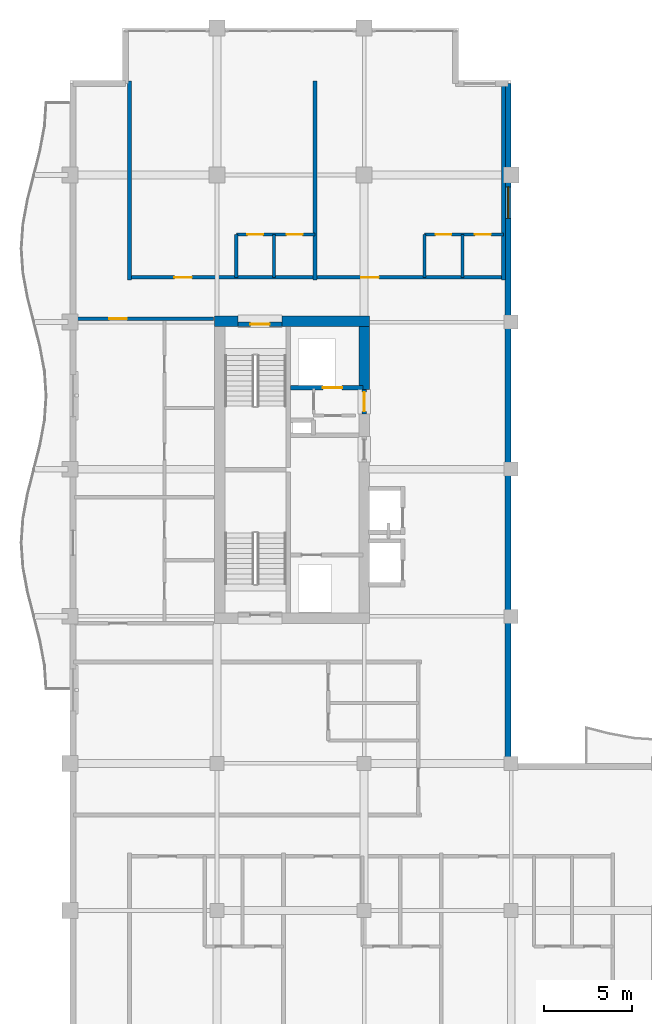
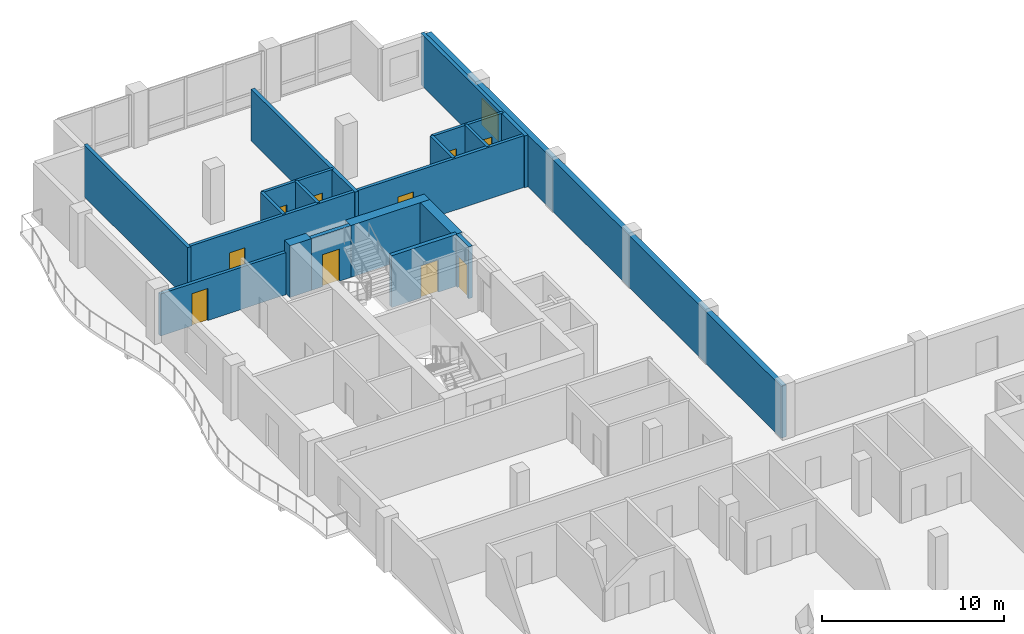
# One storey, part 10 of 17: 18 walls, 10 doors, 1 window, 11 openings.
"""IFC4 building model written with IfcOpenShell, lengths in metres."""

from ifc_helpers import new_model, si_unit, direction, frame, frame_2d, origin, place, context, subcontext, project, spatial, rectangle, extrude, material, layer, layer_set, type_object, element, fill, save


model = new_model("IFC4")

# Units and contexts
model_context = context("Model", 3, precision=1e-05, world=origin(), true_north=direction((0.0, 1.0)))
body_context = subcontext(model_context, "Body", "Model", "MODEL_VIEW")
ifc_project = project(units=[si_unit("LENGTHUNIT", "METRE"), si_unit("AREAUNIT", "SQUARE_METRE"), si_unit("VOLUMEUNIT", "CUBIC_METRE"), si_unit("PLANEANGLEUNIT", "RADIAN"), si_unit("MASSUNIT", "GRAM", prefix="KILO")], contexts=[model_context])

# Site, building, storey
site_placement = place(None, origin())
site = spatial("IfcSite", under=ifc_project, at=site_placement, CompositionType="ELEMENT")
building_placement = place(site_placement, origin())
building = spatial("IfcBuilding", under=site, at=building_placement, Name="Koriwani Terraces Tower", CompositionType="ELEMENT")
storey_placement = place(building_placement, frame((0.0, 0.0, 237.89990234375)))
storey = spatial("IfcBuildingStorey", under=building, at=storey_placement, Name="L58", CompositionType="ELEMENT", Elevation=237.89990234375)

# Walls
ifc_material_1 = material(Name="Concrete C60/75", Category="concrete")
ifc_layer_1 = layer(ifc_material_1, 0.60009765625, Name="Concrete C60/75")
ifc_layer_set_1 = layer_set([ifc_layer_1], Name="Concrete C60/75")
wall_type_1 = type_object("IfcWallType", Name="WALL_CORE_RC_600", PredefinedType="SHEAR", material=ifc_layer_set_1)
wall_1_placement = place(storey_placement, frame((16.64990234375, 58.85009765625, 0.0), z_axis=(0.0, 0.0, 1.0), x_axis=(1.0, 0.0, 0.0)))
element("IfcWall", 1, at=wall_1_placement, inside=storey, type_object=wall_type_1, Name="L58 West Split Core Shear Wall N1", PredefinedType="SHEAR", context=body_context, shape_type="SweptSolid", body=[
    extrude(rectangle(XDim=1.35009765625, YDim=0.60009765625, at=frame_2d((0.675048828125, 0.0))), origin(), (0.0, 0.0, 1.0), 3.47021484375),
])
wall_2_placement = place(storey_placement, frame((20.5, 58.85009765625, 0.0), z_axis=(0.0, 0.0, 1.0), x_axis=(1.0, 0.0, 0.0)))
element("IfcWall", 2, at=wall_2_placement, inside=storey, type_object=wall_type_1, Name="L58 West Split Core Shear Wall N2", PredefinedType="SHEAR", context=body_context, shape_type="SweptSolid", body=[
    extrude(rectangle(XDim=5.0, YDim=0.60009765625, at=frame_2d((2.5, 0.0))), origin(), (0.0, 0.0, 1.0), 3.47021484375),
])
wall_3_placement = place(storey_placement, frame((25.199951171875, 54.949951171875, 0.0), z_axis=(0.0, 0.0, 1.0), x_axis=(0.0, 1.0, 0.0)))
element("IfcWall", 3, at=wall_3_placement, inside=storey, type_object=wall_type_1, Name="L58 West Split Core Shear Wall E3", PredefinedType="SHEAR", context=body_context, shape_type="SweptSolid", body=[
    extrude(rectangle(XDim=3.60009765625, YDim=0.60009765625, at=frame_2d((1.800048828125, 0.0))), origin(), (0.0, 0.0, 1.0), 3.47021484375),
])

# Wall, opening, door
ifc_material_2 = material(Name="Autoclaved Cellular Concrete Blockwork", Category="masonry")
ifc_layer_2 = layer(ifc_material_2, 0.199951171875, Name="Autoclaved Cellular Concrete Blockwork")
ifc_layer_set_2 = layer_set([ifc_layer_2], Name="Autoclaved Cellular Concrete Blockwork")
wall_type_2 = type_object("IfcWallType", Name="WALL_CORRIDOR_200", PredefinedType="PARTITIONING", material=ifc_layer_set_2)
wall_4_placement = place(storey_placement, frame((8.64990234375, 59.0, 0.0), z_axis=(0.0, 0.0, 1.0), x_axis=(1.0, 0.0, 0.0)))
wall_4 = element("IfcWall", 4, at=wall_4_placement, inside=storey, type_object=wall_type_2, Name="L58 Interior Wall WRZ4-WN-L58", PredefinedType="PARTITIONING", context=body_context, shape_type="SweptSolid", body=[
    extrude(rectangle(XDim=7.9501953125, YDim=0.199951171875, at=frame_2d((3.97509765625, 0.0))), origin(), (0.0, 0.0, 1.0), 2.820068359375),
])
opening_1_placement = place(wall_4_placement, frame((2.0, 0.0, 0.0)))
opening_1 = element("IfcOpeningElement", 5, at=opening_1_placement, cuts=wall_4, Name="Opening D-05", PredefinedType="OPENING", context=body_context, shape_type="SweptSolid", body=[
    extrude(rectangle(XDim=1.0, YDim=2.14990234375, at=frame_2d((0.5, 1.074951171875))), frame((0.0, 0.10986328125, 0.0), z_axis=(0.0, -1.0, 0.0), x_axis=(1.0, 0.0, 0.0)), (0.0, 0.0, 1.0), 0.219970703125),
])
ifc_material_3 = material(Name="Architectural Oak Fire Door", Category="wood")
door_type_1 = type_object("IfcDoorType", Name="DOOR_SUITE_ENTRY_1000X2150", OperationType="NOTDEFINED", PredefinedType="DOOR", material=ifc_material_3)
door_1_placement = place(opening_1_placement, origin())
door_1 = element("IfcDoor", 6, at=door_1_placement, inside=storey, type_object=door_type_1, Name="Apartment 58RW2 Entrance Door", OperationType="SINGLE_SWING_LEFT", OverallHeight=2.14990234375, OverallWidth=1.0, PredefinedType="DOOR", context=body_context, shape_type="SweptSolid", body=[
    extrude(rectangle(XDim=1.0, YDim=2.14990234375, at=frame_2d((0.5, 1.074951171875))), frame((0.0, 0.02490234375, 0.0), z_axis=(0.0, -1.0, 0.0), x_axis=(1.0, 0.0, 0.0)), (0.0, 0.0, 1.0), 0.050048828125),
])
fill(opening_1, door_1)

# Wall, openings, doors
wall_5_placement = place(storey_placement, frame((11.800048828125, 61.35009765625, 0.0), z_axis=(0.0, 0.0, 1.0), x_axis=(1.0, 0.0, 0.0)))
wall_5 = element("IfcWall", 7, at=wall_5_placement, inside=storey, type_object=wall_type_2, Name="L58 Interior Wall WRCOR-L58-NTS-0", PredefinedType="PARTITIONING", context=body_context, shape_type="SweptSolid", body=[
    extrude(rectangle(XDim=21.349853515625, YDim=0.199951171875, at=frame_2d((10.6748046875, 0.0))), origin(), (0.0, 0.0, 1.0), 3.47021484375),
])
opening_2_placement = place(wall_5_placement, frame((2.570068359375, 0.0, 0.0)))
opening_2 = element("IfcOpeningElement", 8, at=opening_2_placement, cuts=wall_5, Name="Opening D-05", PredefinedType="OPENING", context=body_context, shape_type="SweptSolid", body=[
    extrude(rectangle(XDim=1.0, YDim=2.14990234375, at=frame_2d((0.5, 1.074951171875))), frame((0.0, 0.10986328125, 0.0), z_axis=(0.0, -1.0, 0.0), x_axis=(1.0, 0.0, 0.0)), (0.0, 0.0, 1.0), 0.219970703125),
])
opening_3_placement = place(wall_5_placement, frame((13.2451171875, 0.0, 0.0)))
opening_3 = element("IfcOpeningElement", 9, at=opening_3_placement, cuts=wall_5, Name="Opening D-05", PredefinedType="OPENING", context=body_context, shape_type="SweptSolid", body=[
    extrude(rectangle(XDim=1.0, YDim=2.14990234375, at=frame_2d((0.5, 1.074951171875))), frame((0.0, 0.10986328125, 0.0), z_axis=(0.0, -1.0, 0.0), x_axis=(1.0, 0.0, 0.0)), (0.0, 0.0, 1.0), 0.219970703125),
])
door_2_placement = place(opening_2_placement, origin())
door_2 = element("IfcDoor", 10, at=door_2_placement, inside=storey, type_object=door_type_1, Name="Apartment 58NTS1 Entrance Door", OperationType="SINGLE_SWING_RIGHT", OverallHeight=2.14990234375, OverallWidth=1.0, PredefinedType="DOOR", context=body_context, shape_type="SweptSolid", body=[
    extrude(rectangle(XDim=1.0, YDim=2.14990234375, at=frame_2d((0.5, 1.074951171875))), frame((0.0, 0.02490234375, 0.0), z_axis=(0.0, -1.0, 0.0), x_axis=(1.0, 0.0, 0.0)), (0.0, 0.0, 1.0), 0.050048828125),
])
fill(opening_2, door_2)
door_3_placement = place(opening_3_placement, origin())
door_3 = element("IfcDoor", 11, at=door_3_placement, inside=storey, type_object=door_type_1, Name="Apartment 58NTS2 Entrance Door", OperationType="SINGLE_SWING_LEFT", OverallHeight=2.14990234375, OverallWidth=1.0, PredefinedType="DOOR", context=body_context, shape_type="SweptSolid", body=[
    extrude(rectangle(XDim=1.0, YDim=2.14990234375, at=frame_2d((0.5, 1.074951171875))), frame((0.0, 0.02490234375, 0.0), z_axis=(0.0, -1.0, 0.0), x_axis=(1.0, 0.0, 0.0)), (0.0, 0.0, 1.0), 0.050048828125),
])
fill(opening_3, door_3)

# Walls
ifc_layer_3 = layer(ifc_material_2, 0.219970703125, Name="Autoclaved Cellular Concrete Blockwork")
ifc_layer_set_3 = layer_set([ifc_layer_3], Name="Autoclaved Cellular Concrete Blockwork")
wall_type_3 = type_object("IfcWallType", Name="WALL_DEMISING_220", PredefinedType="PARTITIONING", material=ifc_layer_set_3)
for number, where, z_axis, x_axis, name in (
    (12, (11.800048828125, 61.199951171875, 0.0), (0.0, 0.0, 1.0), (0.0, 1.0, 0.0), "L58 Interior Wall WRDEM-L58-NTS-0"),
    (13, (22.39990234375, 61.199951171875, 0.0), (0.0, 0.0, 1.0), (0.0, 1.0, 0.0), "L58 Interior Wall WRDEM-L58-NTS-1"),
    (14, (33.14990234375, 61.199951171875, 0.0), (0.0, 0.0, 1.0), (0.0, 1.0, 0.0), "L58 Interior Wall WRDEME-L58-NTS"),
):
    element("IfcWall", number, at=place(storey_placement, frame(where, z_axis=z_axis, x_axis=x_axis)), inside=storey, type_object=wall_type_3, Name=name, PredefinedType="PARTITIONING", context=body_context, shape_type="SweptSolid", body=[
        extrude(rectangle(XDim=11.380126953125, YDim=0.219970703125, at=frame_2d((5.68994140625, 0.0))), origin(), (0.0, 0.0, 1.0), 3.47021484375),
    ])

# Wall, opening, window
ifc_material_4 = material(Name="Concrete C50/60", Category="concrete")
ifc_layer_4 = layer(ifc_material_4, 0.35009765625, Name="Concrete C50/60")
ifc_layer_set_4 = layer_set([ifc_layer_4], Name="Concrete C50/60")
wall_type_4 = type_object("IfcWallType", Name="WALL_EXT_BRUTALIST_350", PredefinedType="STANDARD", material=ifc_layer_set_4)
wall_6_placement = place(storey_placement, frame((33.425048828125, 72.425048828125, 0.0), z_axis=(0.0, 0.0, 1.0), x_axis=(0.0, -1.0, 0.0)))
wall_6 = element("IfcWall", 15, at=wall_6_placement, inside=storey, type_object=wall_type_4, Name="L58 Fair-Faced Brutalist Exterior Wall (NW_IN)", PredefinedType="STANDARD", context=body_context, shape_type="SweptSolid", body=[
    extrude(rectangle(XDim=39.0, YDim=0.35009765625, at=frame_2d((19.5, 0.0))), origin(), (0.0, 0.0, 1.0), 3.47021484375),
])
opening_4_placement = place(wall_6_placement, frame((5.89990234375, 0.0, 0.85009765625)))
opening_4 = element("IfcOpeningElement", 16, at=opening_4_placement, cuts=wall_6, Name="Opening W-04", PredefinedType="OPENING", context=body_context, shape_type="SweptSolid", body=[
    extrude(rectangle(XDim=1.800048828125, YDim=1.800048828125, at=frame_2d((0.89990234375, 0.89990234375))), frame((0.0, 0.18505859375, 0.0), z_axis=(0.0, -1.0, 0.0), x_axis=(1.0, 0.0, 0.0)), (0.0, 0.0, 1.0), 0.3701171875),
])
ifc_material_5 = material(Name="Tempered Laminated Low-E Glass", Category="glass")
window_type = type_object("IfcWindowType", Name="WIN_RES_BED_1800X1800", PartitioningType="DOUBLE_PANEL_VERTICAL", PredefinedType="WINDOW", material=ifc_material_5)
window_placement = place(opening_4_placement, origin())
window = element("IfcWindow", 17, at=window_placement, inside=storey, type_object=window_type, Name="L58 Exterior Window (NW_IN-R48)", OverallHeight=1.800048828125, OverallWidth=1.800048828125, PartitioningType="SINGLE_PANEL", PredefinedType="WINDOW", context=body_context, shape_type="SweptSolid", body=[
    extrude(rectangle(XDim=1.800048828125, YDim=1.800048828125, at=frame_2d((0.89990234375, 0.89990234375))), frame((0.0, 0.030029296875, 0.0), z_axis=(0.0, -1.0, 0.0), x_axis=(1.0, 0.0, 0.0)), (0.0, 0.0, 1.0), 0.06005859375),
])
fill(opening_4, window)

# Wall, openings, doors
ifc_material_6 = material(Name="Fire-Rated Acoustic Gypsum Partition", Category="masonry")
ifc_layer_5 = layer(ifc_material_6, 0.179931640625, Name="Fire-Rated Acoustic Gypsum Partition")
ifc_layer_set_5 = layer_set([ifc_layer_5], Name="Fire-Rated Acoustic Gypsum Partition")
wall_type_5 = type_object("IfcWallType", Name="WALL_PLUMBING_180", PredefinedType="PLUMBINGWALL", material=ifc_layer_set_5)
wall_7_placement = place(storey_placement, frame((17.89990234375, 63.800048828125, 0.0), z_axis=(0.0, 0.0, 1.0), x_axis=(1.0, 0.0, 0.0)))
wall_7 = element("IfcWall", 18, at=wall_7_placement, inside=storey, type_object=wall_type_5, Name="L58 Interior Wall WRSVC-L58-NTS-0", PredefinedType="PLUMBINGWALL", context=body_context, shape_type="SweptSolid", body=[
    extrude(rectangle(XDim=4.5, YDim=0.179931640625, at=frame_2d((2.25, 0.0))), origin(), (0.0, 0.0, 1.0), 3.47021484375),
])
opening_5_placement = place(wall_7_placement, frame((0.6298828125, 0.0, 0.0)))
opening_5 = element("IfcOpeningElement", 19, at=opening_5_placement, cuts=wall_7, Name="Opening D-07", PredefinedType="OPENING", context=body_context, shape_type="SweptSolid", body=[
    extrude(rectangle(XDim=0.89990234375, YDim=2.10009765625, at=frame_2d((0.449951171875, 1.050048828125))), frame((0.0, 0.10009765625, 0.0), z_axis=(0.0, -1.0, 0.0), x_axis=(1.0, 0.0, 0.0)), (0.0, 0.0, 1.0), 0.199951171875),
])
opening_6_placement = place(wall_7_placement, frame((2.8701171875, 0.0, 0.0)))
opening_6 = element("IfcOpeningElement", 20, at=opening_6_placement, cuts=wall_7, Name="Opening D-06", PredefinedType="OPENING", context=body_context, shape_type="SweptSolid", body=[
    extrude(rectangle(XDim=0.919921875, YDim=2.10009765625, at=frame_2d((0.4599609375, 1.050048828125))), frame((0.0, 0.10009765625, 0.0), z_axis=(0.0, -1.0, 0.0), x_axis=(1.0, 0.0, 0.0)), (0.0, 0.0, 1.0), 0.199951171875),
])
door_type_2 = type_object("IfcDoorType", Name="DOOR_BATH_INT_900X2100", OperationType="NOTDEFINED", PredefinedType="DOOR", material=ifc_material_3)
door_4_placement = place(opening_5_placement, origin())
door_4 = element("IfcDoor", 21, at=door_4_placement, inside=storey, type_object=door_type_2, Name="Apartment 58NTS1 Bathroom Door", OperationType="SINGLE_SWING_LEFT", OverallHeight=2.10009765625, OverallWidth=0.89990234375, PredefinedType="DOOR", context=body_context, shape_type="SweptSolid", body=[
    extrude(rectangle(XDim=0.89990234375, YDim=2.10009765625, at=frame_2d((0.449951171875, 1.050048828125))), frame((0.0, 0.02490234375, 0.0), z_axis=(0.0, -1.0, 0.0), x_axis=(1.0, 0.0, 0.0)), (0.0, 0.0, 1.0), 0.050048828125),
])
fill(opening_5, door_4)
door_type_3 = type_object("IfcDoorType", Name="DOOR_ROOM_INT_920X2100", OperationType="NOTDEFINED", PredefinedType="DOOR", material=ifc_material_3)
door_5_placement = place(opening_6_placement, origin())
door_5 = element("IfcDoor", 22, at=door_5_placement, inside=storey, type_object=door_type_3, Name="Apartment 58NTS1 Kitchen Door", OperationType="SINGLE_SWING_RIGHT", OverallHeight=2.10009765625, OverallWidth=0.919921875, PredefinedType="DOOR", context=body_context, shape_type="SweptSolid", body=[
    extrude(rectangle(XDim=0.919921875, YDim=2.10009765625, at=frame_2d((0.4599609375, 1.050048828125))), frame((0.0, 0.02490234375, 0.0), z_axis=(0.0, -1.0, 0.0), x_axis=(1.0, 0.0, 0.0)), (0.0, 0.0, 1.0), 0.050048828125),
])
fill(opening_6, door_5)

# Walls
for number, where, z_axis, x_axis, name in (
    (23, (17.89990234375, 61.35009765625, 0.0), (0.0, 0.0, 1.0), (0.0, 1.0, 0.0), "L58 Interior Wall WRSVCS-L58-NTS-0"),
    (24, (20.06005859375, 61.35009765625, 0.0), (0.0, 0.0, 1.0), (0.0, 1.0, 0.0), "L58 Interior Wall WRSVCM-L58-NTS-0"),
):
    element("IfcWall", number, at=place(storey_placement, frame(where, z_axis=z_axis, x_axis=x_axis)), inside=storey, type_object=wall_type_5, Name=name, PredefinedType="PLUMBINGWALL", context=body_context, shape_type="SweptSolid", body=[
        extrude(rectangle(XDim=2.449951171875, YDim=0.179931640625, at=frame_2d((1.22509765625, 0.0))), origin(), (0.0, 0.0, 1.0), 3.47021484375),
    ])

# Wall, openings, doors
wall_8_placement = place(storey_placement, frame((28.64990234375, 63.800048828125, 0.0), z_axis=(0.0, 0.0, 1.0), x_axis=(1.0, 0.0, 0.0)))
wall_8 = element("IfcWall", 25, at=wall_8_placement, inside=storey, type_object=wall_type_5, Name="L58 Interior Wall WRSVC-L58-NTS-1", PredefinedType="PLUMBINGWALL", context=body_context, shape_type="SweptSolid", body=[
    extrude(rectangle(XDim=4.5, YDim=0.179931640625, at=frame_2d((2.25, 0.0))), origin(), (0.0, 0.0, 1.0), 3.47021484375),
])
opening_7_placement = place(wall_8_placement, frame((0.6298828125, 0.0, 0.0)))
opening_7 = element("IfcOpeningElement", 26, at=opening_7_placement, cuts=wall_8, Name="Opening D-07", PredefinedType="OPENING", context=body_context, shape_type="SweptSolid", body=[
    extrude(rectangle(XDim=0.89990234375, YDim=2.10009765625, at=frame_2d((0.449951171875, 1.050048828125))), frame((0.0, 0.10009765625, 0.0), z_axis=(0.0, -1.0, 0.0), x_axis=(1.0, 0.0, 0.0)), (0.0, 0.0, 1.0), 0.199951171875),
])
opening_8_placement = place(wall_8_placement, frame((2.8701171875, 0.0, 0.0)))
opening_8 = element("IfcOpeningElement", 27, at=opening_8_placement, cuts=wall_8, Name="Opening D-06", PredefinedType="OPENING", context=body_context, shape_type="SweptSolid", body=[
    extrude(rectangle(XDim=0.919921875, YDim=2.10009765625, at=frame_2d((0.4599609375, 1.050048828125))), frame((0.0, 0.10009765625, 0.0), z_axis=(0.0, -1.0, 0.0), x_axis=(1.0, 0.0, 0.0)), (0.0, 0.0, 1.0), 0.199951171875),
])
door_6_placement = place(opening_7_placement, origin())
door_6 = element("IfcDoor", 28, at=door_6_placement, inside=storey, type_object=door_type_2, Name="Apartment 58NTS2 Bathroom Door", OperationType="SINGLE_SWING_RIGHT", OverallHeight=2.10009765625, OverallWidth=0.89990234375, PredefinedType="DOOR", context=body_context, shape_type="SweptSolid", body=[
    extrude(rectangle(XDim=0.89990234375, YDim=2.10009765625, at=frame_2d((0.449951171875, 1.050048828125))), frame((0.0, 0.02490234375, 0.0), z_axis=(0.0, -1.0, 0.0), x_axis=(1.0, 0.0, 0.0)), (0.0, 0.0, 1.0), 0.050048828125),
])
fill(opening_7, door_6)
door_7_placement = place(opening_8_placement, origin())
door_7 = element("IfcDoor", 29, at=door_7_placement, inside=storey, type_object=door_type_3, Name="Apartment 58NTS2 Kitchen Door", OperationType="SINGLE_SWING_LEFT", OverallHeight=2.10009765625, OverallWidth=0.919921875, PredefinedType="DOOR", context=body_context, shape_type="SweptSolid", body=[
    extrude(rectangle(XDim=0.919921875, YDim=2.10009765625, at=frame_2d((0.4599609375, 1.050048828125))), frame((0.0, 0.02490234375, 0.0), z_axis=(0.0, -1.0, 0.0), x_axis=(1.0, 0.0, 0.0)), (0.0, 0.0, 1.0), 0.050048828125),
])
fill(opening_8, door_7)

# Walls
for number, where, z_axis, x_axis, name in (
    (30, (28.64990234375, 61.35009765625, 0.0), (0.0, 0.0, 1.0), (0.0, 1.0, 0.0), "L58 Interior Wall WRSVCS-L58-NTS-1"),
    (31, (30.81005859375, 61.35009765625, 0.0), (0.0, 0.0, 1.0), (0.0, 1.0, 0.0), "L58 Interior Wall WRSVCM-L58-NTS-1"),
):
    element("IfcWall", number, at=place(storey_placement, frame(where, z_axis=z_axis, x_axis=x_axis)), inside=storey, type_object=wall_type_5, Name=name, PredefinedType="PLUMBINGWALL", context=body_context, shape_type="SweptSolid", body=[
        extrude(rectangle(XDim=2.449951171875, YDim=0.179931640625, at=frame_2d((1.22509765625, 0.0))), origin(), (0.0, 0.0, 1.0), 3.47021484375),
    ])

# Wall, opening, door
ifc_material_7 = material(Name="Concrete C40/50", Category="concrete")
ifc_layer_6 = layer(ifc_material_7, 0.25, Name="Concrete C40/50")
ifc_layer_set_6 = layer_set([ifc_layer_6], Name="Concrete C40/50")
wall_type_6 = type_object("IfcWallType", Name="WALL_SHAFT_RATED_250", PredefinedType="SOLIDWALL", material=ifc_layer_set_6)
wall_9_placement = place(storey_placement, frame((18.0, 58.675048828125, 0.0), z_axis=(0.0, 0.0, 1.0), x_axis=(1.0, 0.0, 0.0)))
wall_9 = element("IfcWall", 32, at=wall_9_placement, inside=storey, type_object=wall_type_6, Name="L58 Interior Wall WIN-CW-L58-STN", PredefinedType="SOLIDWALL", context=body_context, shape_type="SweptSolid", body=[
    extrude(rectangle(XDim=2.5, YDim=0.25, at=frame_2d((1.25, 0.0))), origin(), (0.0, 0.0, 1.0), 3.47021484375),
])
opening_9_placement = place(wall_9_placement, frame((0.699951171875, 0.0, 0.0)))
opening_9 = element("IfcOpeningElement", 33, at=opening_9_placement, cuts=wall_9, Name="Opening D-03", PredefinedType="OPENING", context=body_context, shape_type="SweptSolid", body=[
    extrude(rectangle(XDim=1.10009765625, YDim=2.14990234375, at=frame_2d((0.550048828125, 1.074951171875))), frame((0.0, 0.135009765625, 0.0), z_axis=(0.0, -1.0, 0.0), x_axis=(1.0, 0.0, 0.0)), (0.0, 0.0, 1.0), 0.27001953125),
])
ifc_material_8 = material(Name="Steel ASTM A572 Grade 50", Category="steel")
door_type_4 = type_object("IfcDoorType", Name="DOOR_STAIR_FIRE_1100X2150", OperationType="NOTDEFINED", PredefinedType="DOOR", material=ifc_material_8)
door_8_placement = place(opening_9_placement, origin())
door_8 = element("IfcDoor", 34, at=door_8_placement, inside=storey, type_object=door_type_4, Name="L58 Exit Stair ST-W2 Door", OperationType="SINGLE_SWING_LEFT", OverallHeight=2.14990234375, OverallWidth=1.10009765625, PredefinedType="DOOR", context=body_context, shape_type="SweptSolid", body=[
    extrude(rectangle(XDim=1.10009765625, YDim=2.14990234375, at=frame_2d((0.550048828125, 1.074951171875))), frame((0.0, 0.02490234375, 0.0), z_axis=(0.0, -1.0, 0.0), x_axis=(1.0, 0.0, 0.0)), (0.0, 0.0, 1.0), 0.050048828125),
])
fill(opening_9, door_8)

wall_10_placement = place(storey_placement, frame((21.0, 55.050048828125, 0.0), z_axis=(0.0, 0.0, 1.0), x_axis=(1.0, 0.0, 0.0)))
wall_10 = element("IfcWall", 35, at=wall_10_placement, inside=storey, type_object=wall_type_6, Name="L58 Interior Wall WIN-CW-L58-SE", PredefinedType="SOLIDWALL", context=body_context, shape_type="SweptSolid", body=[
    extrude(rectangle(XDim=4.14990234375, YDim=0.25, at=frame_2d((2.074951171875, 0.0))), origin(), (0.0, 0.0, 1.0), 3.47021484375),
])
opening_10_placement = place(wall_10_placement, frame((1.85009765625, 0.0, 0.0)))
opening_10 = element("IfcOpeningElement", 36, at=opening_10_placement, cuts=wall_10, Name="Opening LD-01", PredefinedType="OPENING", context=body_context, shape_type="SweptSolid", body=[
    extrude(rectangle(XDim=1.10009765625, YDim=2.14990234375, at=frame_2d((0.550048828125, 1.074951171875))), frame((0.0, 0.135009765625, 0.0), z_axis=(0.0, -1.0, 0.0), x_axis=(1.0, 0.0, 0.0)), (0.0, 0.0, 1.0), 0.27001953125),
])
door_type_5 = type_object("IfcDoorType", Name="DOOR_LIFT_LANDING_1100X2200", OperationType="NOTDEFINED", PredefinedType="DOOR", material=ifc_material_8)
door_9_placement = place(opening_10_placement, origin())
door_9 = element("IfcDoor", 37, at=door_9_placement, inside=storey, type_object=door_type_5, Name="L58 Goods Lift SE-01 Landing Door", OperationType="SLIDING_TO_LEFT", OverallHeight=2.14990234375, OverallWidth=1.10009765625, PredefinedType="DOOR", context=body_context, shape_type="SweptSolid", body=[
    extrude(rectangle(XDim=1.10009765625, YDim=2.14990234375, at=frame_2d((0.550048828125, 1.074951171875))), frame((0.0, 0.02490234375, 0.0), z_axis=(0.0, -1.0, 0.0), x_axis=(1.0, 0.0, 0.0)), (0.0, 0.0, 1.0), 0.050048828125),
])
fill(opening_10, door_9)

wall_11_placement = place(storey_placement, frame((25.199951171875, 53.550048828125, 0.0), z_axis=(0.0, 0.0, 1.0), x_axis=(0.0, 1.0, 0.0)))
wall_11 = element("IfcWall", 38, at=wall_11_placement, inside=storey, type_object=wall_type_6, Name="L58 Interior Wall WIN-CW-L58-EP2", PredefinedType="SOLIDWALL", context=body_context, shape_type="SweptSolid", body=[
    extrude(rectangle(XDim=1.39990234375, YDim=0.25, at=frame_2d((0.699951171875, 0.0))), origin(), (0.0, 0.0, 1.0), 3.47021484375),
])
opening_11_placement = place(wall_11_placement, frame((0.14990234375, 0.0, 0.0)))
opening_11 = element("IfcOpeningElement", 39, at=opening_11_placement, cuts=wall_11, Name="Opening D-03", PredefinedType="OPENING", context=body_context, shape_type="SweptSolid", body=[
    extrude(rectangle(XDim=1.10009765625, YDim=2.14990234375, at=frame_2d((0.550048828125, 1.074951171875))), frame((0.0, 0.135009765625, 0.0), z_axis=(0.0, -1.0, 0.0), x_axis=(1.0, 0.0, 0.0)), (0.0, 0.0, 1.0), 0.27001953125),
])
door_10_placement = place(opening_11_placement, origin())
door_10 = element("IfcDoor", 40, at=door_10_placement, inside=storey, type_object=door_type_4, Name="L58 West Goods Lift Lobby Door", OperationType="SINGLE_SWING_LEFT", OverallHeight=2.14990234375, OverallWidth=1.10009765625, PredefinedType="DOOR", context=body_context, shape_type="SweptSolid", body=[
    extrude(rectangle(XDim=1.10009765625, YDim=2.14990234375, at=frame_2d((0.550048828125, 1.074951171875))), frame((0.0, 0.02490234375, 0.0), z_axis=(0.0, -1.0, 0.0), x_axis=(1.0, 0.0, 0.0)), (0.0, 0.0, 1.0), 0.050048828125),
])
fill(opening_11, door_10)

save(model, "model.ifc")
